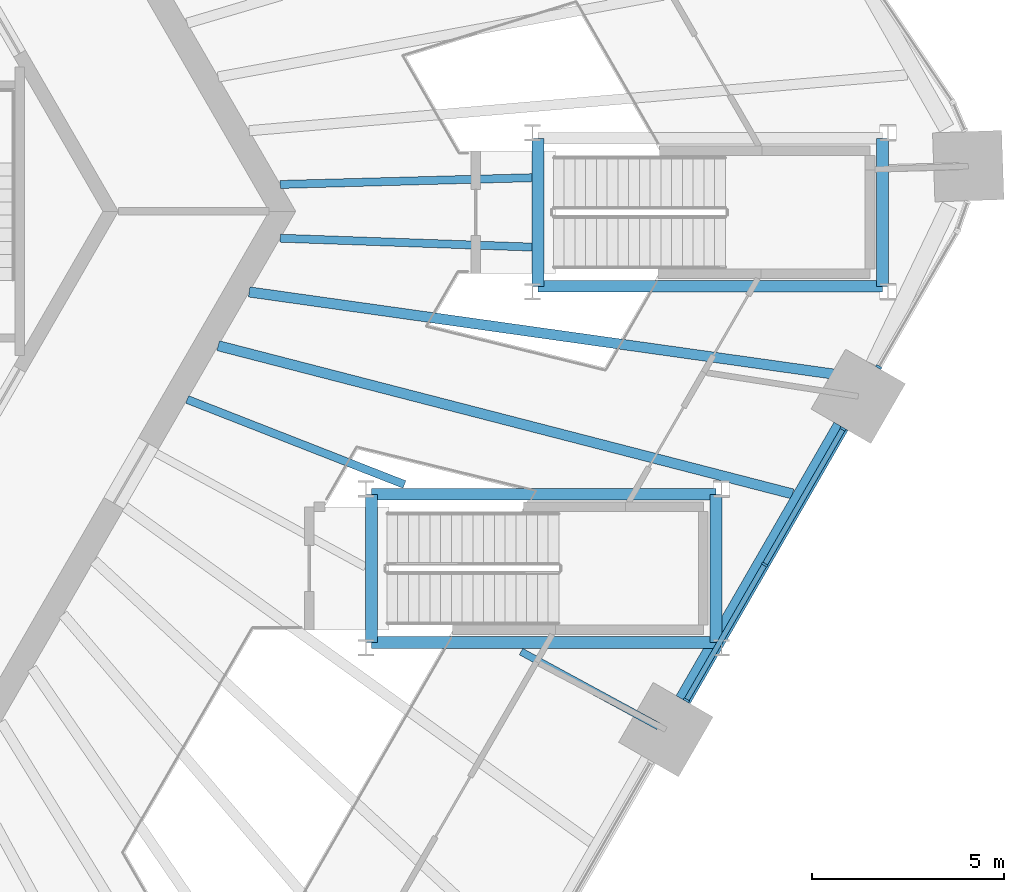
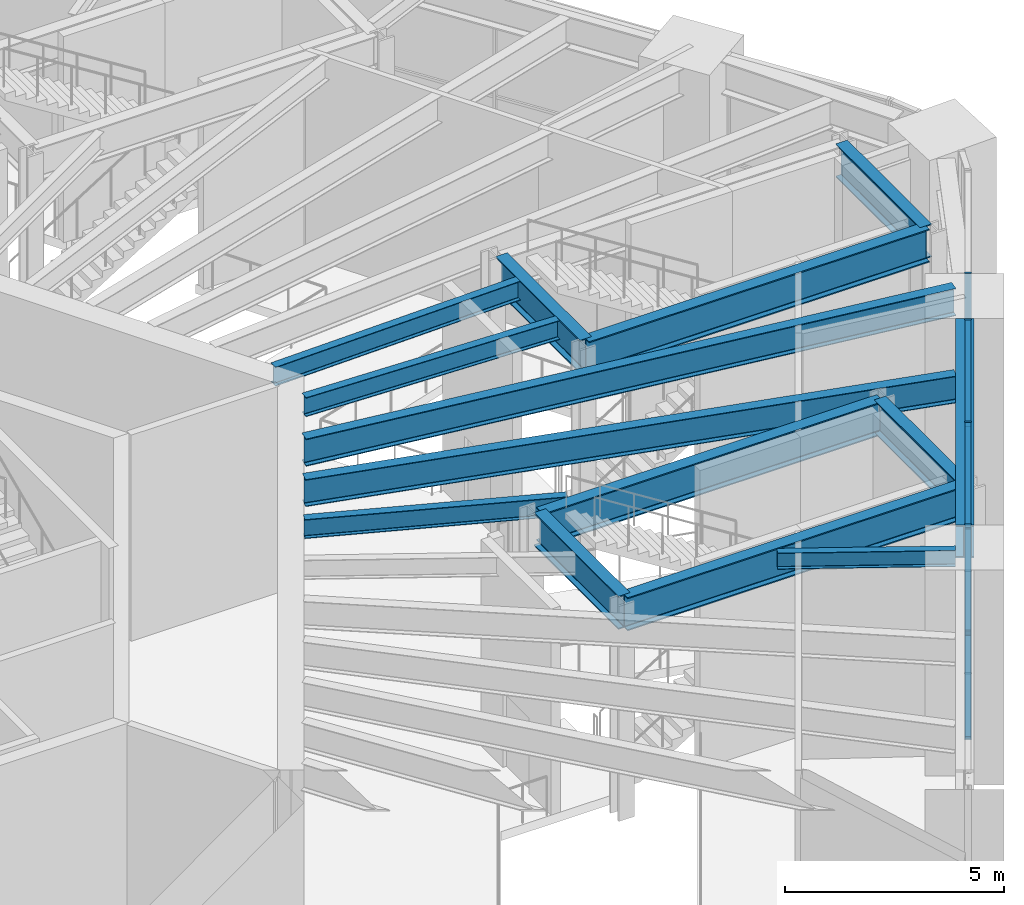
# One storey, part 6 of 32: 14 beams, 10 members, 2 elements without a shape of their own.
"""IFC4 building model written with IfcOpenShell, lengths in metres."""

from ifc_helpers import new_model, si_unit, direction, frame, origin, origin_2d, place, context, subcontext, project, spatial, rectangle, i_section, extrude, material, material_profile, profile_set, type_object, element, aggregate, save


model = new_model("IFC4")

# Units and contexts
model_context = context("Model", 3, precision=1e-05, world=origin(), true_north=direction((0.0, 1.0)))
body_context = subcontext(model_context, "Body", "Model", "MODEL_VIEW")
ifc_project = project(units=[si_unit("LENGTHUNIT", "METRE"), si_unit("AREAUNIT", "SQUARE_METRE"), si_unit("VOLUMEUNIT", "CUBIC_METRE"), si_unit("PLANEANGLEUNIT", "RADIAN"), si_unit("MASSUNIT", "GRAM", prefix="KILO")], contexts=[model_context])

# Site, building, storey
site_placement = place(None, origin())
site = spatial("IfcSite", under=ifc_project, at=site_placement, CompositionType="ELEMENT")
building_placement = place(site_placement, origin())
building = spatial("IfcBuilding", under=site, at=building_placement, Name="Tarnside Tower", CompositionType="ELEMENT")
storey_placement = place(building_placement, frame((0.0, 0.0, 9.0)))
storey = spatial("IfcBuildingStorey", under=building, at=storey_placement, Name="L01", CompositionType="ELEMENT", Elevation=9.0)

# Beams
ifc_material_1 = material(Name="Steel S355", Category="steel")
ifc_material_profile_1 = material_profile(ifc_material_1, i_section(OverallWidth=0.18994140625, OverallDepth=0.453369140625, WebThickness=0.008544921875, FlangeThickness=0.0126953125, FilletRadius=0.01025390625, at=origin_2d()), Name="UB 457x191x67")
ifc_profile_set_1 = profile_set([ifc_material_profile_1], Name="Steel S355")
beam_type_1 = type_object("IfcBeamType", Name="Floor beam UB 457x191x67", PredefinedType="BEAM", material=ifc_profile_set_1)
beam_1_placement = place(storey_placement, frame((25.614013671875, -13.41455078125, 5.523193359375), z_axis=(-0.878558909546, 0.477634004712, 0.0), x_axis=(-0.477634004712, -0.878558909546, 0.0)))
element("IfcBeam", 1, at=beam_1_placement, inside=storey, type_object=beam_type_1, Name="Floor beam F5.05a", PredefinedType="BEAM", context=body_context, shape_type="SweptSolid", body=[
    extrude(i_section(OverallWidth=0.18994140625, OverallDepth=0.453369140625, WebThickness=0.008544921875, FlangeThickness=0.0126953125, FilletRadius=0.01025390625, at=origin_2d()), origin(), (0.0, 0.0, 1.0), 4.07373046875),
])
ifc_material_profile_2 = material_profile(ifc_material_1, i_section(OverallWidth=0.209228515625, OverallDepth=0.533203125, WebThickness=0.010009765625, FlangeThickness=0.015625, FilletRadius=0.0126953125, at=origin_2d()), Name="UB 533x210x92")
ifc_profile_set_2 = profile_set([ifc_material_profile_2], Name="Steel S355")
beam_type_2 = type_object("IfcBeamType", Name="Floor beam UB 533x210x92", PredefinedType="BEAM", material=ifc_profile_set_2)
beam_2_placement = place(storey_placement, frame((18.997802734375, -7.115234375, 5.4833984375), z_axis=(-0.931231520791, 0.364428120053, 0.0), x_axis=(-0.364428120053, -0.931231520791, 0.0)))
element("IfcBeam", 2, at=beam_2_placement, inside=storey, type_object=beam_type_2, Name="Floor beam F5.06", PredefinedType="BEAM", context=body_context, shape_type="SweptSolid", body=[
    extrude(i_section(OverallWidth=0.209228515625, OverallDepth=0.533203125, WebThickness=0.010009765625, FlangeThickness=0.015625, FilletRadius=0.0126953125, at=origin_2d()), origin(), (0.0, 0.0, 1.0), 6.078857421875),
])
beam_3_placement = place(storey_placement, frame((22.322265625, -0.931396484375, 5.4833984375), z_axis=(-0.999378299025, 0.035256424065, 0.0), x_axis=(-0.035256424065, -0.999378299025, 0.0)))
element("IfcBeam", 3, at=beam_3_placement, inside=storey, type_object=beam_type_2, Name="Floor beam F5.09", PredefinedType="BEAM", context=body_context, shape_type="SweptSolid", body=[
    extrude(i_section(OverallWidth=0.209228515625, OverallDepth=0.533203125, WebThickness=0.010009765625, FlangeThickness=0.015625, FilletRadius=0.0126953125, at=origin_2d()), origin(), (0.0, 0.0, 1.0), 6.564697265625),
])
beam_4_placement = place(storey_placement, frame((22.322265625, 0.876220703125, 5.4833984375), z_axis=(-0.999639247492, -0.026858422771, 0.0), x_axis=(0.026858422771, -0.999639247492, 0.0)))
element("IfcBeam", 4, at=beam_4_placement, inside=storey, type_object=beam_type_2, Name="Floor beam C5b", PredefinedType="BEAM", context=body_context, shape_type="SweptSolid", body=[
    extrude(i_section(OverallWidth=0.209228515625, OverallDepth=0.533203125, WebThickness=0.010009765625, FlangeThickness=0.015625, FilletRadius=0.0126953125, at=origin_2d()), origin(), (0.0, 0.0, 1.0), 6.56298828125),
])
ifc_material_profile_3 = material_profile(ifc_material_1, i_section(OverallWidth=0.26513671875, OverallDepth=0.75390625, WebThickness=0.0126953125, FlangeThickness=0.017578125, FilletRadius=0.0166015625, at=origin_2d()), Name="UB 762x267x147")
ifc_profile_set_3 = profile_set([ifc_material_profile_3], Name="Steel S355")
beam_type_3 = type_object("IfcBeamType", Name="Floor beam UB 762x267x147", PredefinedType="BEAM", material=ifc_profile_set_3)
beam_5_placement = place(storey_placement, frame((29.108642578125, -7.36181640625, 5.373046875), z_axis=(-0.968273624565, 0.249892352766, 0.0), x_axis=(-0.249892352766, -0.968273624565, 0.0)))
element("IfcBeam", 5, at=beam_5_placement, inside=storey, type_object=beam_type_3, Name="Floor beam F5.07", PredefinedType="BEAM", context=body_context, shape_type="SweptSolid", body=[
    extrude(i_section(OverallWidth=0.26513671875, OverallDepth=0.75390625, WebThickness=0.0126953125, FlangeThickness=0.017578125, FilletRadius=0.0166015625, at=origin_2d()), origin(), (0.0, 0.0, 1.0), 15.453857421875),
])
ifc_material_profile_4 = material_profile(ifc_material_1, i_section(OverallWidth=0.2666015625, OverallDepth=0.76220703125, WebThickness=0.014404296875, FlangeThickness=0.021484375, FilletRadius=0.0166015625, at=origin_2d()), Name="UB 762x267x173")
ifc_profile_set_4 = profile_set([ifc_material_profile_4], Name="Steel S355")
beam_type_4 = type_object("IfcBeamType", Name="Floor beam UB 762x267x173", PredefinedType="BEAM", material=ifc_profile_set_4)
beam_6_placement = place(storey_placement, frame((30.820068359375, -4.330078125, 5.368896484375), z_axis=(-0.99026754132, 0.139176853707, 0.0), x_axis=(-0.139176853707, -0.99026754132, 0.0)))
element("IfcBeam", 6, at=beam_6_placement, inside=storey, type_object=beam_type_4, Name="Floor beam F5.08", PredefinedType="BEAM", context=body_context, shape_type="SweptSolid", body=[
    extrude(i_section(OverallWidth=0.2666015625, OverallDepth=0.76220703125, WebThickness=0.014404296875, FlangeThickness=0.021484375, FilletRadius=0.0166015625, at=origin_2d()), origin(), (0.0, 0.0, 1.0), 16.022705078125),
])
ifc_material_profile_5 = material_profile(ifc_material_1, i_section(OverallWidth=0.3076171875, OverallDepth=0.926513671875, WebThickness=0.01953125, FlangeThickness=0.031982421875, FilletRadius=0.01904296875, at=origin_2d()), Name="UB 914x305x289")
ifc_profile_set_5 = profile_set([ifc_material_profile_5], Name="Steel S355")
beam_type_5 = type_object("IfcBeamType", Name="Perimeter girder UB 914x305x289", PredefinedType="BEAM", material=ifc_profile_set_5)
beam_7_placement = place(storey_placement, frame((31.453857421875, 1.90380859375, 5.28662109375), z_axis=(0.0, -1.0, 0.0), x_axis=(1.0, 0.0, 0.0)))
element("IfcBeam", 7, at=beam_7_placement, inside=storey, type_object=beam_type_5, Name="Perimeter girder T9", PredefinedType="BEAM", context=body_context, shape_type="SweptSolid", body=[
    extrude(i_section(OverallWidth=0.3076171875, OverallDepth=0.926513671875, WebThickness=0.01953125, FlangeThickness=0.031982421875, FilletRadius=0.01904296875, at=origin_2d()), origin(), (0.0, 0.0, 1.0), 3.857666015625),
])
beam_8_placement = place(storey_placement, frame((31.453857421875, -1.953857421875, 5.28662109375), z_axis=(-1.0, 0.0, 0.0), x_axis=(0.0, -1.0, 0.0)))
element("IfcBeam", 8, at=beam_8_placement, inside=storey, type_object=beam_type_5, Name="Perimeter girder T10", PredefinedType="BEAM", context=body_context, shape_type="SweptSolid", body=[
    extrude(i_section(OverallWidth=0.3076171875, OverallDepth=0.926513671875, WebThickness=0.01953125, FlangeThickness=0.031982421875, FilletRadius=0.01904296875, at=origin_2d()), origin(), (0.0, 0.0, 1.0), 8.9775390625),
])
for number, where, z_axis, x_axis, name in (
    (9, (22.476318359375, -1.953857421875, 5.28662109375), (0.0, 1.0, 0.0), (-1.0, 0.0, 0.0), "Perimeter girder T11"),
    (10, (27.11376953125, -7.37109375, 5.28662109375), (0.0, -1.0, 0.0), (1.0, 0.0, 0.0), "Perimeter girder T17"),
):
    element("IfcBeam", number, at=place(storey_placement, frame(where, z_axis=z_axis, x_axis=x_axis)), inside=storey, type_object=beam_type_5, Name=name, PredefinedType="BEAM", context=body_context, shape_type="SweptSolid", body=[
        extrude(i_section(OverallWidth=0.3076171875, OverallDepth=0.926513671875, WebThickness=0.01953125, FlangeThickness=0.031982421875, FilletRadius=0.01904296875, at=origin_2d()), origin(), (0.0, 0.0, 1.0), 3.857666015625),
    ])
beam_9_placement = place(storey_placement, frame((27.11376953125, -11.228759765625, 5.28662109375), z_axis=(-1.0, 0.0, 0.0), x_axis=(0.0, -1.0, 0.0)))
element("IfcBeam", 11, at=beam_9_placement, inside=storey, type_object=beam_type_5, Name="Perimeter girder T18", PredefinedType="BEAM", context=body_context, shape_type="SweptSolid", body=[
    extrude(i_section(OverallWidth=0.3076171875, OverallDepth=0.926513671875, WebThickness=0.01953125, FlangeThickness=0.031982421875, FilletRadius=0.01904296875, at=origin_2d()), origin(), (0.0, 0.0, 1.0), 8.9775390625),
])
beam_10_placement = place(storey_placement, frame((18.13623046875, -11.228759765625, 5.28662109375), z_axis=(0.0, 1.0, 0.0), x_axis=(-1.0, 0.0, 0.0)))
element("IfcBeam", 12, at=beam_10_placement, inside=storey, type_object=beam_type_5, Name="Perimeter girder T19", PredefinedType="BEAM", context=body_context, shape_type="SweptSolid", body=[
    extrude(i_section(OverallWidth=0.3076171875, OverallDepth=0.926513671875, WebThickness=0.01953125, FlangeThickness=0.031982421875, FilletRadius=0.01904296875, at=origin_2d()), origin(), (0.0, 0.0, 1.0), 3.857666015625),
])
beam_11_placement = place(storey_placement, frame((18.13623046875, -7.37109375, 5.28662109375), z_axis=(1.0, 0.0, 0.0), x_axis=(0.0, 1.0, 0.0)))
element("IfcBeam", 13, at=beam_11_placement, inside=storey, type_object=beam_type_5, Name="Perimeter girder T20", PredefinedType="BEAM", context=body_context, shape_type="SweptSolid", body=[
    extrude(i_section(OverallWidth=0.3076171875, OverallDepth=0.926513671875, WebThickness=0.01953125, FlangeThickness=0.031982421875, FilletRadius=0.01904296875, at=origin_2d()), origin(), (0.0, 0.0, 1.0), 8.9775390625),
])
ifc_material_2 = material(Name="Steel S460", Category="steel")
ifc_material_profile_6 = material_profile(ifc_material_2, i_section(OverallWidth=0.42041015625, OverallDepth=0.9208984375, WebThickness=0.021484375, FlangeThickness=0.03662109375, FilletRadius=0.024169921875, at=origin_2d()), Name="UB 914x419x388")
ifc_profile_set_6 = profile_set([ifc_material_profile_6], Name="Steel S460")
beam_type_6 = type_object("IfcBeamType", Name="Perimeter girder UB 914x419x388", PredefinedType="BEAM", material=ifc_profile_set_6)
beam_12_placement = place(storey_placement, frame((26.2568359375, -12.7216796875, 5.28955078125), z_axis=(0.500002567197, 0.866023921607, 0.0), x_axis=(-0.866023921607, 0.500002567197, 0.0)))
element("IfcBeam", 14, at=beam_12_placement, inside=storey, type_object=beam_type_6, Name="Perimeter girder M18", PredefinedType="BEAM", context=body_context, shape_type="SweptSolid", body=[
    extrude(i_section(OverallWidth=0.42041015625, OverallDepth=0.9208984375, WebThickness=0.021484375, FlangeThickness=0.03662109375, FilletRadius=0.024169921875, at=origin_2d()), origin(), (0.0, 0.0, 1.0), 8.2236328125),
])

# Curtain wall, members
ifc_material_3 = material(Name="Retail shopfront glazing wall", Category="glass")
curtain_wall_type = type_object("IfcCurtainWallType", Name="Retail shopfront glazing wall", PredefinedType="NOTDEFINED", material=ifc_material_3)
curtain_wall_1_placement = place(storey_placement, origin())
curtain_wall_1 = element("IfcCurtainWall", 15, at=curtain_wall_1_placement, inside=storey, type_object=curtain_wall_type, Name="Retail shopfront glazing L01 17.0", PredefinedType="NOTDEFINED")
ifc_material_4 = material(Name="Aluminium alloy 6063", Category="aluminium")
ifc_material_profile_7 = material_profile(ifc_material_4, rectangle(XDim=0.159912109375, YDim=0.06005859375, at=origin_2d()), Name="Retail shopfront glazing mullion 60 x 160")
ifc_profile_set_7 = profile_set([ifc_material_profile_7], Name="Aluminium alloy 6063")
member_type_1 = type_object("IfcMemberType", Name="Retail shopfront glazing mullion 60 x 160", PredefinedType="MULLION", material=ifc_profile_set_7)
member_1_placement = place(storey_placement, frame((26.341064453125, -12.73583984375, -0.25), z_axis=(0.0, 0.0, 1.0), x_axis=(-0.866025403741, 0.500000000076, 0.0)))
member_1 = element("IfcMember", 16, at=member_1_placement, type_object=member_type_1, Name="CW2 mullion 1", PredefinedType="MULLION", context=body_context, shape_type="SweptSolid", body=[
    extrude(rectangle(XDim=0.159912109375, YDim=0.06005859375, at=origin_2d()), origin(), (0.0, 0.0, 1.0), 6.0),
])
member_2_placement = place(storey_placement, frame((28.382080078125, -9.20068359375, -0.25), z_axis=(0.0, 0.0, 1.0), x_axis=(-0.866025403741, 0.500000000076, 0.0)))
member_2 = element("IfcMember", 17, at=member_2_placement, type_object=member_type_1, Name="CW2 mullion 2", PredefinedType="MULLION", context=body_context, shape_type="SweptSolid", body=[
    extrude(rectangle(XDim=0.159912109375, YDim=0.06005859375, at=origin_2d()), origin(), (0.0, 0.0, 1.0), 6.0),
])
member_3_placement = place(storey_placement, frame((30.423095703125, -5.665771484375, -0.25), z_axis=(0.0, 0.0, 1.0), x_axis=(-0.866025403741, 0.500000000076, 0.0)))
member_3 = element("IfcMember", 18, at=member_3_placement, type_object=member_type_1, Name="CW2 mullion 3", PredefinedType="MULLION", context=body_context, shape_type="SweptSolid", body=[
    extrude(rectangle(XDim=0.159912109375, YDim=0.06005859375, at=origin_2d()), origin(), (0.0, 0.0, 1.0), 6.0),
])

# Curtain wall, member
curtain_wall_2_placement = place(storey_placement, origin())
curtain_wall_2 = element("IfcCurtainWall", 19, at=curtain_wall_2_placement, inside=storey, type_object=curtain_wall_type, Name="Retail shopfront glazing L01 18.0", PredefinedType="NOTDEFINED")
member_4_placement = place(storey_placement, frame((31.35302734375, -4.054931640625, -0.25), z_axis=(0.0, 0.0, 1.0), x_axis=(-0.866025403872, 0.499999999849, 0.0)))
member_4 = element("IfcMember", 20, at=member_4_placement, type_object=member_type_1, Name="CW2 mullion 1", PredefinedType="MULLION", context=body_context, shape_type="SweptSolid", body=[
    extrude(rectangle(XDim=0.159912109375, YDim=0.06005859375, at=origin_2d()), origin(), (0.0, 0.0, 1.0), 6.0),
])
aggregate(curtain_wall_2, [member_4])

# Member
ifc_material_profile_8 = material_profile(ifc_material_4, rectangle(XDim=0.139892578125, YDim=0.06005859375, at=origin_2d()), Name="Retail shopfront glazing transom 60 x 140")
ifc_profile_set_8 = profile_set([ifc_material_profile_8], Name="Aluminium alloy 6063")
member_type_2 = type_object("IfcMemberType", Name="Retail shopfront glazing transom 60 x 140", PredefinedType="USERDEFINED", material=ifc_profile_set_8)
member_5_placement = place(storey_placement, frame((26.356201171875, -12.709716796875, -0.219970703125), z_axis=(0.500023722852, 0.866011706956, 0.0), x_axis=(-0.866011706956, 0.500023722852, 0.0)))
member_5 = element("IfcMember", 21, at=member_5_placement, type_object=member_type_2, Name="CW2 transom 1.1", ObjectType="TRANSOM", PredefinedType="USERDEFINED", context=body_context, shape_type="SweptSolid", body=[
    extrude(rectangle(XDim=0.139892578125, YDim=0.06005859375, at=origin_2d()), origin(), (0.0, 0.0, 1.0), 4.021728515625),
])

member_6_placement = place(storey_placement, frame((26.356201171875, -12.709716796875, 2.75), z_axis=(0.500023722852, 0.866011706956, 0.0), x_axis=(-0.866011706956, 0.500023722852, 0.0)))
member_6 = element("IfcMember", 22, at=member_6_placement, type_object=member_type_2, Name="CW2 transom 1.2", ObjectType="TRANSOM", PredefinedType="USERDEFINED", context=body_context, shape_type="SweptSolid", body=[
    extrude(rectangle(XDim=0.139892578125, YDim=0.06005859375, at=origin_2d()), origin(), (0.0, 0.0, 1.0), 4.021728515625),
])

member_7_placement = place(storey_placement, frame((26.356201171875, -12.709716796875, 5.719970703125), z_axis=(0.500023722852, 0.866011706956, 0.0), x_axis=(-0.866011706956, 0.500023722852, 0.0)))
member_7 = element("IfcMember", 23, at=member_7_placement, type_object=member_type_2, Name="CW2 transom 1.3", ObjectType="TRANSOM", PredefinedType="USERDEFINED", context=body_context, shape_type="SweptSolid", body=[
    extrude(rectangle(XDim=0.139892578125, YDim=0.06005859375, at=origin_2d()), origin(), (0.0, 0.0, 1.0), 4.021728515625),
])

member_8_placement = place(storey_placement, frame((28.39697265625, -9.1748046875, -0.219970703125), z_axis=(0.500023722852, 0.866011706956, 0.0), x_axis=(-0.866011706956, 0.500023722852, 0.0)))
member_8 = element("IfcMember", 24, at=member_8_placement, type_object=member_type_2, Name="CW2 transom 2.1", ObjectType="TRANSOM", PredefinedType="USERDEFINED", context=body_context, shape_type="SweptSolid", body=[
    extrude(rectangle(XDim=0.139892578125, YDim=0.06005859375, at=origin_2d()), origin(), (0.0, 0.0, 1.0), 4.021728515625),
])

member_9_placement = place(storey_placement, frame((28.39697265625, -9.1748046875, 2.75), z_axis=(0.500023722852, 0.866011706956, 0.0), x_axis=(-0.866011706956, 0.500023722852, 0.0)))
member_9 = element("IfcMember", 25, at=member_9_placement, type_object=member_type_2, Name="CW2 transom 2.2", ObjectType="TRANSOM", PredefinedType="USERDEFINED", context=body_context, shape_type="SweptSolid", body=[
    extrude(rectangle(XDim=0.139892578125, YDim=0.06005859375, at=origin_2d()), origin(), (0.0, 0.0, 1.0), 4.021728515625),
])

member_10_placement = place(storey_placement, frame((28.39697265625, -9.1748046875, 5.719970703125), z_axis=(0.500023722852, 0.866011706956, 0.0), x_axis=(-0.866011706956, 0.500023722852, 0.0)))
member_10 = element("IfcMember", 26, at=member_10_placement, type_object=member_type_2, Name="CW2 transom 2.3", ObjectType="TRANSOM", PredefinedType="USERDEFINED", context=body_context, shape_type="SweptSolid", body=[
    extrude(rectangle(XDim=0.139892578125, YDim=0.06005859375, at=origin_2d()), origin(), (0.0, 0.0, 1.0), 4.021728515625),
])

aggregate(curtain_wall_1, [member_1, member_2, member_3, member_5, member_6, member_7, member_8, member_9, member_10])

save(model, "model.ifc")
